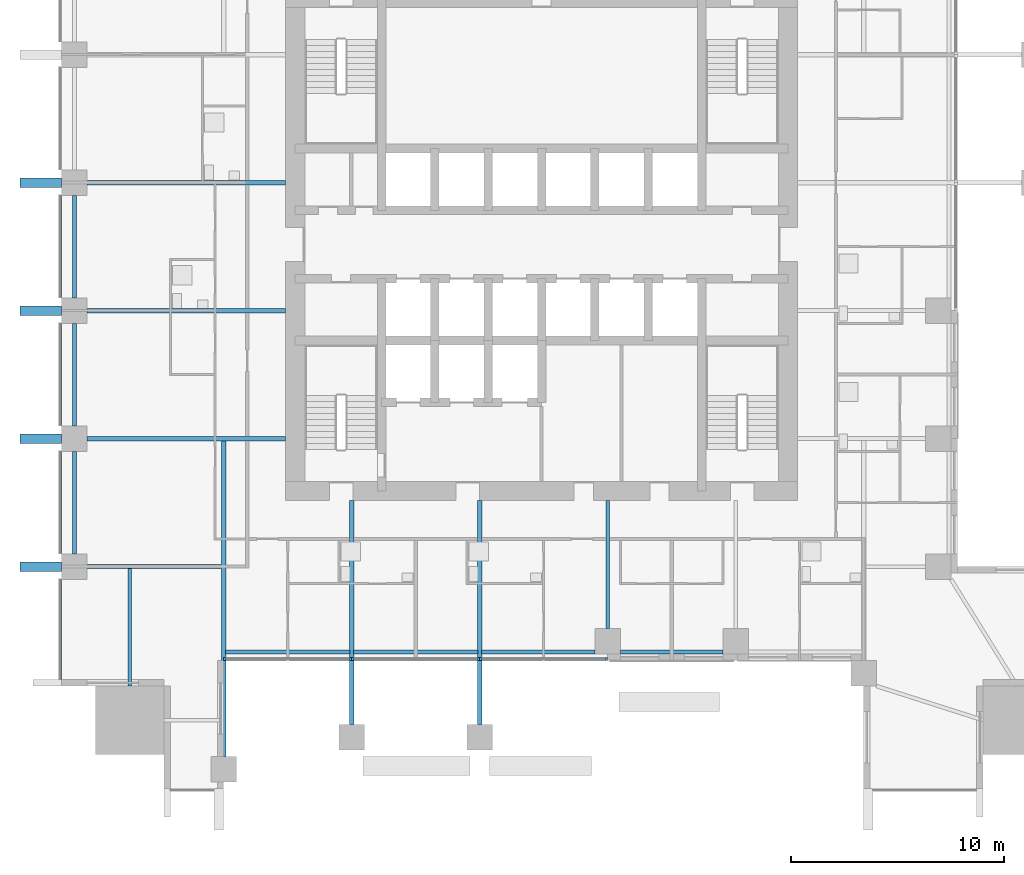
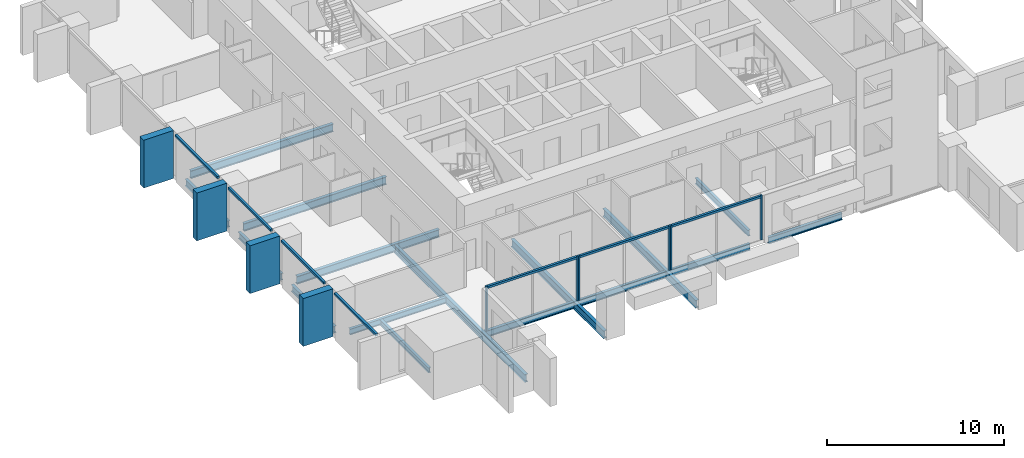
# One storey, part 2 of 13: 17 members, 16 beams, 4 elements without a shape of their own.
"""IFC4 building model written with IfcOpenShell, lengths in metres."""

from ifc_helpers import new_model, si_unit, direction, frame, origin, origin_2d, place, context, subcontext, project, spatial, rectangle, i_section, extrude, material, material_profile, profile_set, type_object, element, aggregate, save


model = new_model("IFC4")

# Units and contexts
model_context = context("Model", 3, precision=1e-05, world=origin(), true_north=direction((0.0, 1.0)))
body_context = subcontext(model_context, "Body", "Model", "MODEL_VIEW")
ifc_project = project(units=[si_unit("LENGTHUNIT", "METRE"), si_unit("AREAUNIT", "SQUARE_METRE"), si_unit("VOLUMEUNIT", "CUBIC_METRE"), si_unit("PLANEANGLEUNIT", "RADIAN"), si_unit("MASSUNIT", "GRAM", prefix="KILO")], contexts=[model_context])

# Site, building, storey
site_placement = place(None, origin())
site = spatial("IfcSite", under=ifc_project, at=site_placement, CompositionType="ELEMENT")
building_placement = place(site_placement, origin())
building = spatial("IfcBuilding", under=site, at=building_placement, Name="Amberfall Residences", CompositionType="ELEMENT")
storey_placement = place(building_placement, frame((0.0, 0.0, 56.5)))
storey = spatial("IfcBuildingStorey", under=building, at=storey_placement, Name="L15", CompositionType="ELEMENT", Elevation=56.5)

# Curtain wall, members
ifc_material_1 = material(Name="Bronze anodised aluminium and glass", Category="aluminium")
curtain_wall_type_1 = type_object("IfcCurtainWallType", Name="Curtain wall CW1 tower unit", PredefinedType="USERDEFINED", material=ifc_material_1)
curtain_wall_1_placement = place(storey_placement, origin())
curtain_wall_1 = element("IfcCurtainWall", 1, at=curtain_wall_1_placement, inside=storey, type_object=curtain_wall_type_1, Name="Curtain wall L15 W W1", ObjectType="UNITISED CURTAIN WALL", PredefinedType="USERDEFINED")
ifc_material_2 = material(Name="Bronze anodised aluminium", Category="aluminium")
ifc_material_profile_1 = material_profile(ifc_material_2, rectangle(XDim=0.14990234375, YDim=0.14990234375, at=origin_2d()), Name="CW1 transom 150 x 150 bronze")
ifc_profile_set_1 = profile_set([ifc_material_profile_1], Name="Bronze anodised aluminium")
member_type_1 = type_object("IfcMemberType", Name="CW1 transom 150 x 150 bronze", PredefinedType="USERDEFINED", material=ifc_profile_set_1)
member_1_placement = place(storey_placement, frame((51.925048828125, 47.794921875, 2.97509765625), z_axis=(0.0, -1.0, 0.0), x_axis=(1.0, 0.0, 0.0)))
member_1 = element("IfcMember", 2, at=member_1_placement, type_object=member_type_1, Name="CW1 transom 4.1", ObjectType="TRANSOM", PredefinedType="USERDEFINED", context=body_context, shape_type="SweptSolid", body=[
    extrude(rectangle(XDim=0.14990234375, YDim=0.14990234375, at=origin_2d()), origin(), (0.0, 0.0, 1.0), 4.7900390625),
])
member_2_placement = place(storey_placement, frame((51.925048828125, 41.794921875, 2.97509765625), z_axis=(0.0, -1.0, 0.0), x_axis=(1.0, 0.0, 0.0)))
member_2 = element("IfcMember", 3, at=member_2_placement, type_object=member_type_1, Name="CW1 transom 5.1", ObjectType="TRANSOM", PredefinedType="USERDEFINED", context=body_context, shape_type="SweptSolid", body=[
    extrude(rectangle(XDim=0.14990234375, YDim=0.14990234375, at=origin_2d()), origin(), (0.0, 0.0, 1.0), 4.7900390625),
])
member_3_placement = place(storey_placement, frame((51.925048828125, 35.794921875, 2.97509765625), z_axis=(0.0, -1.0, 0.0), x_axis=(1.0, 0.0, 0.0)))
member_3 = element("IfcMember", 4, at=member_3_placement, type_object=member_type_1, Name="CW1 transom 6.1", ObjectType="TRANSOM", PredefinedType="USERDEFINED", context=body_context, shape_type="SweptSolid", body=[
    extrude(rectangle(XDim=0.14990234375, YDim=0.14990234375, at=origin_2d()), origin(), (0.0, 0.0, 1.0), 4.7900390625),
])
member_4_placement = place(storey_placement, frame((51.925048828125, 29.794921875, 2.97509765625), z_axis=(0.0, -1.0, 0.0), x_axis=(1.0, 0.0, 0.0)))
member_4 = element("IfcMember", 5, at=member_4_placement, type_object=member_type_1, Name="CW1 transom 7.1", ObjectType="TRANSOM", PredefinedType="USERDEFINED", context=body_context, shape_type="SweptSolid", body=[
    extrude(rectangle(XDim=0.14990234375, YDim=0.14990234375, at=origin_2d()), origin(), (0.0, 0.0, 1.0), 4.69482421875),
])

curtain_wall_type_2 = type_object("IfcCurtainWallType", Name="Curtain wall CW3 sky garden glazing", PredefinedType="USERDEFINED", material=ifc_material_1)
curtain_wall_2_placement = place(storey_placement, origin())
curtain_wall_2 = element("IfcCurtainWall", 6, at=curtain_wall_2_placement, inside=storey, type_object=curtain_wall_type_2, Name="Curtain wall L15 S S3", ObjectType="UNITISED CURTAIN WALL", PredefinedType="USERDEFINED")
ifc_material_profile_2 = material_profile(ifc_material_2, rectangle(XDim=0.14990234375, YDim=0.10009765625, at=origin_2d()), Name="CW3 mullion 100 x 150 bronze")
ifc_profile_set_2 = profile_set([ifc_material_profile_2], Name="Bronze anodised aluminium")
member_type_2 = type_object("IfcMemberType", Name="CW3 mullion 100 x 150 bronze", PredefinedType="MULLION", material=ifc_profile_set_2)
member_5_placement = place(storey_placement, frame((59.64990234375, 26.074951171875, 0.0), z_axis=(0.0, 0.0, 1.0), x_axis=(0.0, 1.0, 0.0)))
member_5 = element("IfcMember", 7, at=member_5_placement, type_object=member_type_2, Name="CW3 mullion 1", PredefinedType="MULLION", context=body_context, shape_type="SweptSolid", body=[
    extrude(rectangle(XDim=0.14990234375, YDim=0.10009765625, at=origin_2d()), origin(), (0.0, 0.0, 1.0), 3.050048828125),
])
member_6_placement = place(storey_placement, frame((65.550048828125, 26.074951171875, 0.0), z_axis=(0.0, 0.0, 1.0), x_axis=(0.0, 1.0, 0.0)))
member_6 = element("IfcMember", 8, at=member_6_placement, type_object=member_type_2, Name="CW3 mullion 2", PredefinedType="MULLION", context=body_context, shape_type="SweptSolid", body=[
    extrude(rectangle(XDim=0.14990234375, YDim=0.10009765625, at=origin_2d()), origin(), (0.0, 0.0, 1.0), 3.050048828125),
])

curtain_wall_3_placement = place(storey_placement, origin())
curtain_wall_3 = element("IfcCurtainWall", 9, at=curtain_wall_3_placement, inside=storey, type_object=curtain_wall_type_2, Name="Curtain wall L15 S S4", ObjectType="UNITISED CURTAIN WALL", PredefinedType="USERDEFINED")
member_7_placement = place(storey_placement, frame((65.64990234375, 26.074951171875, 0.0), z_axis=(0.0, 0.0, 1.0), x_axis=(0.0, 1.0, 0.0)))
member_7 = element("IfcMember", 10, at=member_7_placement, type_object=member_type_2, Name="CW3 mullion 1", PredefinedType="MULLION", context=body_context, shape_type="SweptSolid", body=[
    extrude(rectangle(XDim=0.14990234375, YDim=0.10009765625, at=origin_2d()), origin(), (0.0, 0.0, 1.0), 3.050048828125),
])
member_8_placement = place(storey_placement, frame((71.550048828125, 26.074951171875, 0.0), z_axis=(0.0, 0.0, 1.0), x_axis=(0.0, 1.0, 0.0)))
member_8 = element("IfcMember", 11, at=member_8_placement, type_object=member_type_2, Name="CW3 mullion 2", PredefinedType="MULLION", context=body_context, shape_type="SweptSolid", body=[
    extrude(rectangle(XDim=0.14990234375, YDim=0.10009765625, at=origin_2d()), origin(), (0.0, 0.0, 1.0), 3.050048828125),
])

curtain_wall_4_placement = place(storey_placement, origin())
curtain_wall_4 = element("IfcCurtainWall", 12, at=curtain_wall_4_placement, inside=storey, type_object=curtain_wall_type_2, Name="Curtain wall L15 S S5", ObjectType="UNITISED CURTAIN WALL", PredefinedType="USERDEFINED")
member_9_placement = place(storey_placement, frame((71.64990234375, 26.074951171875, 0.0), z_axis=(0.0, 0.0, 1.0), x_axis=(0.0, 1.0, 0.0)))
member_9 = element("IfcMember", 13, at=member_9_placement, type_object=member_type_2, Name="CW3 mullion 1", PredefinedType="MULLION", context=body_context, shape_type="SweptSolid", body=[
    extrude(rectangle(XDim=0.14990234375, YDim=0.10009765625, at=origin_2d()), origin(), (0.0, 0.0, 1.0), 3.050048828125),
])
member_10_placement = place(storey_placement, frame((77.550048828125, 26.074951171875, 0.0), z_axis=(0.0, 0.0, 1.0), x_axis=(0.0, 1.0, 0.0)))
member_10 = element("IfcMember", 14, at=member_10_placement, type_object=member_type_2, Name="CW3 mullion 2", PredefinedType="MULLION", context=body_context, shape_type="SweptSolid", body=[
    extrude(rectangle(XDim=0.14990234375, YDim=0.10009765625, at=origin_2d()), origin(), (0.0, 0.0, 1.0), 3.050048828125),
])

# Member
ifc_material_profile_3 = material_profile(ifc_material_2, rectangle(XDim=0.14990234375, YDim=0.14990234375, at=origin_2d()), Name="CW3 transom 150 x 150 bronze")
ifc_profile_set_3 = profile_set([ifc_material_profile_3], Name="Bronze anodised aluminium")
member_type_3 = type_object("IfcMemberType", Name="CW3 transom 150 x 150 bronze", PredefinedType="USERDEFINED", material=ifc_profile_set_3)
member_11_placement = place(storey_placement, frame((59.699951171875, 26.074951171875, 2.97509765625), z_axis=(1.0, 0.0, 0.0), x_axis=(0.0, 1.0, 0.0)))
member_11 = element("IfcMember", 15, at=member_11_placement, type_object=member_type_3, Name="CW3 transom 1.1", ObjectType="TRANSOM", PredefinedType="USERDEFINED", context=body_context, shape_type="SweptSolid", body=[
    extrude(rectangle(XDim=0.14990234375, YDim=0.14990234375, at=origin_2d()), origin(), (0.0, 0.0, 1.0), 5.800048828125),
])

aggregate(curtain_wall_2, [member_5, member_6, member_11])

member_12_placement = place(storey_placement, frame((65.699951171875, 26.074951171875, 2.97509765625), z_axis=(1.0, 0.0, 0.0), x_axis=(0.0, 1.0, 0.0)))
member_12 = element("IfcMember", 16, at=member_12_placement, type_object=member_type_3, Name="CW3 transom 1.1", ObjectType="TRANSOM", PredefinedType="USERDEFINED", context=body_context, shape_type="SweptSolid", body=[
    extrude(rectangle(XDim=0.14990234375, YDim=0.14990234375, at=origin_2d()), origin(), (0.0, 0.0, 1.0), 5.800048828125),
])

aggregate(curtain_wall_3, [member_7, member_8, member_12])

member_13_placement = place(storey_placement, frame((71.699951171875, 26.074951171875, 2.97509765625), z_axis=(1.0, 0.0, 0.0), x_axis=(0.0, 1.0, 0.0)))
member_13 = element("IfcMember", 17, at=member_13_placement, type_object=member_type_3, Name="CW3 transom 1.1", ObjectType="TRANSOM", PredefinedType="USERDEFINED", context=body_context, shape_type="SweptSolid", body=[
    extrude(rectangle(XDim=0.14990234375, YDim=0.14990234375, at=origin_2d()), origin(), (0.0, 0.0, 1.0), 5.800048828125),
])

aggregate(curtain_wall_4, [member_9, member_10, member_13])

# Beams
ifc_material_3 = material(Name="Steel S355", Category="steel")
ifc_material_profile_4 = material_profile(ifc_material_3, i_section(OverallWidth=0.18994140625, OverallDepth=0.453369140625, WebThickness=0.008544921875, FlangeThickness=0.0126953125, FilletRadius=0.01025390625, at=origin_2d()), Name="UB 457x191x67")
ifc_profile_set_4 = profile_set([ifc_material_profile_4], Name="Steel S355")
beam_type_1 = type_object("IfcBeamType", Name="Edge beam UB 457x191x67", PredefinedType="SPANDREL", material=ifc_profile_set_4)
for number, where, z_axis, x_axis, name in (
    (18, (59.679931640625, 26.39990234375, -0.476806640625), (1.0, 0.0, 0.0), (0.0, 1.0, 0.0), "Edge beam B1 L15 01"),
    (19, (65.679931640625, 26.39990234375, -0.476806640625), (1.0, 0.0, 0.0), (0.0, 1.0, 0.0), "Edge beam B1 L15 02"),
):
    element("IfcBeam", number, at=place(storey_placement, frame(where, z_axis=z_axis, x_axis=x_axis)), inside=storey, type_object=beam_type_1, Name=name, PredefinedType="SPANDREL", context=body_context, shape_type="SweptSolid", body=[
        extrude(i_section(OverallWidth=0.18994140625, OverallDepth=0.453369140625, WebThickness=0.008544921875, FlangeThickness=0.0126953125, FilletRadius=0.01025390625, at=origin_2d()), origin(), (0.0, 0.0, 1.0), 5.840087890625),
    ])
beam_1_placement = place(storey_placement, frame((71.679931640625, 26.39990234375, -0.476806640625), z_axis=(1.0, 0.0, 0.0), x_axis=(0.0, 1.0, 0.0)))
element("IfcBeam", 20, at=beam_1_placement, inside=storey, type_object=beam_type_1, Name="Edge beam B1 L15 03", PredefinedType="SPANDREL", context=body_context, shape_type="SweptSolid", body=[
    extrude(i_section(OverallWidth=0.18994140625, OverallDepth=0.453369140625, WebThickness=0.008544921875, FlangeThickness=0.0126953125, FilletRadius=0.01025390625, at=origin_2d()), origin(), (0.0, 0.0, 1.0), 5.320068359375),
])
for number, where, z_axis, x_axis, name in (
    (21, (78.199951171875, 26.39990234375, -0.476806640625), (1.0, 0.0, 0.0), (0.0, 1.0, 0.0), "Edge beam B1 L15 04"),
    (22, (52.60009765625, 31.0, -0.476806640625), (0.0, 1.0, 0.0), (-1.0, 0.0, 0.0), "Edge beam B1 L15 34"),
    (23, (52.60009765625, 37.0, -0.476806640625), (0.0, 1.0, 0.0), (-1.0, 0.0, 0.0), "Edge beam B1 L15 35"),
    (24, (52.60009765625, 43.0, -0.476806640625), (0.0, 1.0, 0.0), (-1.0, 0.0, 0.0), "Edge beam B1 L15 36"),
):
    element("IfcBeam", number, at=place(storey_placement, frame(where, z_axis=z_axis, x_axis=x_axis)), inside=storey, type_object=beam_type_1, Name=name, PredefinedType="SPANDREL", context=body_context, shape_type="SweptSolid", body=[
        extrude(i_section(OverallWidth=0.18994140625, OverallDepth=0.453369140625, WebThickness=0.008544921875, FlangeThickness=0.0126953125, FilletRadius=0.01025390625, at=origin_2d()), origin(), (0.0, 0.0, 1.0), 4.800048828125),
    ])

# Member
ifc_material_profile_5 = material_profile(ifc_material_2, rectangle(XDim=1.949951171875, YDim=0.449951171875, at=origin_2d()), Name="Fin 450 x 1950 bronze")
ifc_profile_set_5 = profile_set([ifc_material_profile_5], Name="Bronze anodised aluminium")
member_type_4 = type_object("IfcMemberType", Name="Fin 450 x 1950 bronze", PredefinedType="MULLION", material=ifc_profile_set_5)
member_14_placement = place(storey_placement, frame((51.02490234375, 48.39990234375, -0.25), z_axis=(0.0, 0.0, 1.0), x_axis=(1.0, 0.0, 0.0)))
member_14 = element("IfcMember", 25, at=member_14_placement, type_object=member_type_4, Name="CW FIN 4", PredefinedType="MULLION", context=body_context, shape_type="SweptSolid", body=[
    extrude(rectangle(XDim=1.949951171875, YDim=0.449951171875, at=origin_2d()), origin(), (0.0, 0.0, 1.0), 3.300048828125),
])

member_15_placement = place(storey_placement, frame((51.02490234375, 42.39990234375, -0.25), z_axis=(0.0, 0.0, 1.0), x_axis=(1.0, 0.0, 0.0)))
member_15 = element("IfcMember", 26, at=member_15_placement, type_object=member_type_4, Name="CW FIN 5", PredefinedType="MULLION", context=body_context, shape_type="SweptSolid", body=[
    extrude(rectangle(XDim=1.949951171875, YDim=0.449951171875, at=origin_2d()), origin(), (0.0, 0.0, 1.0), 3.300048828125),
])

member_16_placement = place(storey_placement, frame((51.02490234375, 36.39990234375, -0.25), z_axis=(0.0, 0.0, 1.0), x_axis=(1.0, 0.0, 0.0)))
member_16 = element("IfcMember", 27, at=member_16_placement, type_object=member_type_4, Name="CW FIN 6", PredefinedType="MULLION", context=body_context, shape_type="SweptSolid", body=[
    extrude(rectangle(XDim=1.949951171875, YDim=0.449951171875, at=origin_2d()), origin(), (0.0, 0.0, 1.0), 3.300048828125),
])

member_17_placement = place(storey_placement, frame((51.02490234375, 30.39990234375, -0.25), z_axis=(0.0, 0.0, 1.0), x_axis=(1.0, 0.0, 0.0)))
member_17 = element("IfcMember", 28, at=member_17_placement, type_object=member_type_4, Name="CW FIN 7", PredefinedType="MULLION", context=body_context, shape_type="SweptSolid", body=[
    extrude(rectangle(XDim=1.949951171875, YDim=0.449951171875, at=origin_2d()), origin(), (0.0, 0.0, 1.0), 3.300048828125),
])

aggregate(curtain_wall_1, [member_14, member_15, member_16, member_17, member_1, member_2, member_3, member_4])

# Beams
ifc_material_profile_6 = material_profile(ifc_material_3, i_section(OverallWidth=0.177734375, OverallDepth=0.402587890625, WebThickness=0.0078125, FlangeThickness=0.010986328125, FilletRadius=0.01025390625, at=origin_2d()), Name="UB 406x178x54")
ifc_profile_set_6 = profile_set([ifc_material_profile_6], Name="Steel S355")
beam_type_2 = type_object("IfcBeamType", Name="Floor girder UB 406x178x54", PredefinedType="BEAM", material=ifc_profile_set_6)
beam_2_placement = place(storey_placement, frame((77.60009765625, 27.5, -0.451416015625), z_axis=(0.0, 1.0, 0.0), x_axis=(-1.0, 0.0, 0.0)))
element("IfcBeam", 29, at=beam_2_placement, inside=storey, type_object=beam_type_2, Name="Floor girder B4 L15 09", PredefinedType="BEAM", context=body_context, shape_type="SweptSolid", body=[
    extrude(i_section(OverallWidth=0.177734375, OverallDepth=0.402587890625, WebThickness=0.0078125, FlangeThickness=0.010986328125, FilletRadius=0.01025390625, at=origin_2d()), origin(), (0.0, 0.0, 1.0), 6.0),
])
beam_3_placement = place(storey_placement, frame((53.199951171875, 30.39990234375, -0.451416015625), z_axis=(1.0, 0.0, 0.0), x_axis=(0.0, 1.0, 0.0)))
element("IfcBeam", 30, at=beam_3_placement, inside=storey, type_object=beam_type_2, Name="Floor girder B4 L15 39", PredefinedType="BEAM", context=body_context, shape_type="SweptSolid", body=[
    extrude(i_section(OverallWidth=0.177734375, OverallDepth=0.402587890625, WebThickness=0.0078125, FlangeThickness=0.010986328125, FilletRadius=0.01025390625, at=origin_2d()), origin(), (0.0, 0.0, 1.0), 6.280029296875),
])
ifc_material_profile_7 = material_profile(ifc_material_3, i_section(OverallWidth=0.210693359375, OverallDepth=0.53955078125, WebThickness=0.01171875, FlangeThickness=0.018798828125, FilletRadius=0.0126953125, at=origin_2d()), Name="UB 533x210x109")
ifc_profile_set_7 = profile_set([ifc_material_profile_7], Name="Steel S355")
beam_type_3 = type_object("IfcBeamType", Name="Floor girder UB 533x210x109", PredefinedType="BEAM", material=ifc_profile_set_7)
beam_4_placement = place(storey_placement, frame((59.60009765625, 21.5, -0.519775390625), z_axis=(0.0, 1.0, 0.0), x_axis=(-1.0, 0.0, 0.0)))
element("IfcBeam", 31, at=beam_4_placement, inside=storey, type_object=beam_type_3, Name="Floor girder B2 L15 06", PredefinedType="BEAM", context=body_context, shape_type="SweptSolid", body=[
    extrude(i_section(OverallWidth=0.210693359375, OverallDepth=0.53955078125, WebThickness=0.01171875, FlangeThickness=0.018798828125, FilletRadius=0.0126953125, at=origin_2d()), origin(), (0.0, 0.0, 1.0), 14.80029296875),
])
ifc_material_profile_8 = material_profile(ifc_material_3, i_section(OverallWidth=0.209228515625, OverallDepth=0.533203125, WebThickness=0.010009765625, FlangeThickness=0.015625, FilletRadius=0.0126953125, at=origin_2d()), Name="UB 533x210x92")
ifc_profile_set_8 = profile_set([ifc_material_profile_8], Name="Steel S355")
beam_type_4 = type_object("IfcBeamType", Name="Floor girder UB 533x210x92", PredefinedType="BEAM", material=ifc_profile_set_8)
for number, where, z_axis, x_axis, name in (
    (32, (65.60009765625, 23.0, -0.5166015625), (0.0, 1.0, 0.0), (-1.0, 0.0, 0.0), "Floor girder B3 L15 07"),
    (33, (71.60009765625, 23.0, -0.5166015625), (0.0, 1.0, 0.0), (-1.0, 0.0, 0.0), "Floor girder B3 L15 08"),
):
    element("IfcBeam", number, at=place(storey_placement, frame(where, z_axis=z_axis, x_axis=x_axis)), inside=storey, type_object=beam_type_4, Name=name, PredefinedType="BEAM", context=body_context, shape_type="SweptSolid", body=[
        extrude(i_section(OverallWidth=0.209228515625, OverallDepth=0.533203125, WebThickness=0.010009765625, FlangeThickness=0.015625, FilletRadius=0.0126953125, at=origin_2d()), origin(), (0.0, 0.0, 1.0), 10.5),
    ])
for number, where, z_axis, x_axis, name in (
    (34, (53.199951171875, 36.39990234375, -0.5166015625), (1.0, 0.0, 0.0), (0.0, 1.0, 0.0), "Floor girder B3 L15 40"),
    (35, (53.199951171875, 42.39990234375, -0.5166015625), (1.0, 0.0, 0.0), (0.0, 1.0, 0.0), "Floor girder B3 L15 41"),
    (36, (53.199951171875, 48.39990234375, -0.5166015625), (1.0, 0.0, 0.0), (0.0, 1.0, 0.0), "Floor girder B3 L15 42"),
):
    element("IfcBeam", number, at=place(storey_placement, frame(where, z_axis=z_axis, x_axis=x_axis)), inside=storey, type_object=beam_type_4, Name=name, PredefinedType="BEAM", context=body_context, shape_type="SweptSolid", body=[
        extrude(i_section(OverallWidth=0.209228515625, OverallDepth=0.533203125, WebThickness=0.010009765625, FlangeThickness=0.015625, FilletRadius=0.0126953125, at=origin_2d()), origin(), (0.0, 0.0, 1.0), 9.300048828125),
    ])
ifc_material_profile_9 = material_profile(ifc_material_3, i_section(OverallWidth=0.171142578125, OverallDepth=0.351318359375, WebThickness=0.007080078125, FlangeThickness=0.009765625, FilletRadius=0.01025390625, at=origin_2d()), Name="UB 356x171x45")
ifc_profile_set_9 = profile_set([ifc_material_profile_9], Name="Steel S355")
beam_type_5 = type_object("IfcBeamType", Name="Link beam UB 356x171x45", PredefinedType="BEAM", material=ifc_profile_set_9)
beam_5_placement = place(storey_placement, frame((55.199951171875, 24.800048828125, -0.42578125), z_axis=(0.0, 1.0, 0.0), x_axis=(-1.0, 0.0, 0.0)))
element("IfcBeam", 37, at=beam_5_placement, inside=storey, type_object=beam_type_5, Name="Link beam B7 L15 46", PredefinedType="BEAM", context=body_context, shape_type="SweptSolid", body=[
    extrude(i_section(OverallWidth=0.171142578125, OverallDepth=0.351318359375, WebThickness=0.007080078125, FlangeThickness=0.009765625, FilletRadius=0.01025390625, at=origin_2d()), origin(), (0.0, 0.0, 1.0), 5.521240234375),
])

save(model, "model.ifc")
